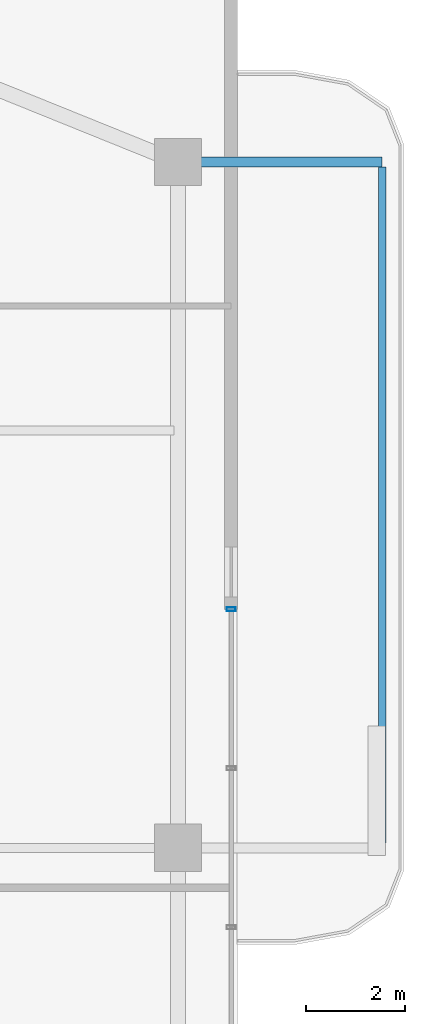
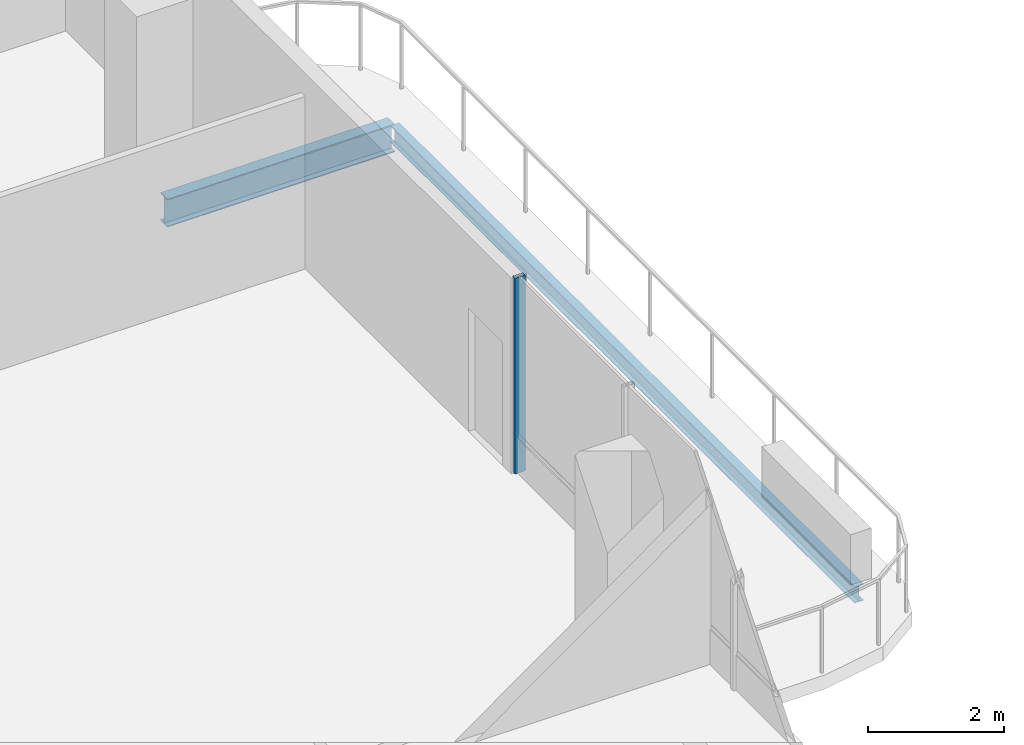
# One storey, part 15 of 25: 2 beams, 1 member, 1 element without a shape of its own.
"""IFC4 building model written with IfcOpenShell, lengths in metres."""

import ifcopenshell
import ifcopenshell.guid

model = None  # the IFC model being written
_history = None  # IfcOwnerHistory: only IFC2X3 demands one
_inside = {}  # id of a spatial element -> (the spatial element, [elements in it])
_under = {}  # id of a project, library or spatial element -> (it, [spatial elements below it])
_declared = {}  # id of a project -> (the project, [libraries it declares])
_typed = {}  # id of a type object -> (the type object, [elements of that type])
_made_of = {}  # id of a material, layer set ... -> (it, [elements and type objects made of it])


def new_model(schema):
    """Start an empty IFC model of exactly this schema.

    Asked for "IFC4X3", IfcOpenShell would pick the latest addendum, in which some entities
    have other attributes; the version numbers below select the first issue.
    IFC2X3 requires an IfcOwnerHistory on every rooted entity: one is made here for all.
    """
    global model, _history
    if schema == "IFC4X3":
        model = ifcopenshell.file(schema_version=(4, 3, 0, 0))
    else:
        model = ifcopenshell.file(schema=schema)
    _inside.clear()
    _under.clear()
    _declared.clear()
    _typed.clear()
    _made_of.clear()
    _history = None
    if model.schema == "IFC2X3":
        org = make("IfcOrganization", Name="unknown")
        user = make(
            "IfcPersonAndOrganization",
            ThePerson=make("IfcPerson", FamilyName="unknown"),
            TheOrganization=org,
        )
        app = make(
            "IfcApplication",
            ApplicationDeveloper=org,
            Version="unknown",
            ApplicationFullName="unknown",
            ApplicationIdentifier="unknown",
        )
        _history = make(
            "IfcOwnerHistory",
            OwningUser=user,
            OwningApplication=app,
            ChangeAction="ADDED",
            CreationDate=0,
        )
    return model


def make(cls, **values):
    """One entity of the class cls with the attributes given. An attribute that is None is left unset."""
    return model.create_entity(
        cls, **{name: value for name, value in values.items() if value is not None}
    )


def rooted(cls, **values):
    """An entity with a GlobalId (a new one), such as an element, a storey or a relation."""
    return make(cls, GlobalId=ifcopenshell.guid.new(), OwnerHistory=_history, **values)


def si_unit(unit_type, name, prefix=None):
    """IfcSIUnit, for example si_unit("LENGTHUNIT", "METRE", prefix="MILLI")."""
    return make("IfcSIUnit", UnitType=unit_type, Prefix=prefix, Name=name)


def assignment(units):
    """IfcUnitAssignment: the units of a project."""
    return None if units is None else make("IfcUnitAssignment", Units=units)


def point(xyz):
    """IfcCartesianPoint."""
    return None if xyz is None else make("IfcCartesianPoint", Coordinates=xyz)


def direction(xyz):
    """IfcDirection."""
    return None if xyz is None else make("IfcDirection", DirectionRatios=xyz)


def frame(location, z_axis=None, x_axis=None):
    """IfcAxis2Placement3D, a coordinate frame: its origin and axes. An axis left out is left unset."""
    return make(
        "IfcAxis2Placement3D",
        Location=point(location),
        Axis=direction(z_axis),
        RefDirection=direction(x_axis),
    )


def frame_2d(location, x_axis=None):
    """IfcAxis2Placement2D, a coordinate frame in the plane: its origin and x axis."""
    return make(
        "IfcAxis2Placement2D", Location=point(location), RefDirection=direction(x_axis)
    )


def origin():
    """The frame at (0, 0, 0) with its axes left unset."""
    return frame((0.0, 0.0, 0.0))


def origin_2d():
    """The frame at (0, 0) in the plane with its x axis left unset."""
    return frame_2d((0.0, 0.0))


def place(relative_to, where):
    """IfcLocalPlacement: puts the frame where relative to a parent placement (None: the world)."""
    return make(
        "IfcLocalPlacement", PlacementRelTo=relative_to, RelativePlacement=where
    )


def context(
    kind, dimensions, precision=None, world=None, true_north=None, identifier=None
):
    """IfcGeometricRepresentationContext, for example the 3D "Model" context."""
    return make(
        "IfcGeometricRepresentationContext",
        ContextIdentifier=identifier,
        ContextType=kind,
        CoordinateSpaceDimension=dimensions,
        Precision=precision,
        WorldCoordinateSystem=world,
        TrueNorth=true_north,
    )


def subcontext(parent, identifier, kind, view, scale=None):
    """IfcGeometricRepresentationSubContext, for example "Body" below "Model"."""
    return make(
        "IfcGeometricRepresentationSubContext",
        ContextIdentifier=identifier,
        ContextType=kind,
        ParentContext=parent,
        TargetScale=scale,
        TargetView=view,
    )


def project(units=None, contexts=None):
    """IfcProject with its units and contexts."""
    return rooted(
        "IfcProject",
        Name="project",
        RepresentationContexts=contexts,
        UnitsInContext=assignment(units),
    )


def spatial(cls, under=None, at=None, **own):
    """A site, building, storey or space (cls), placed at a placement, below another one or the project."""
    s = rooted(cls, ObjectPlacement=at, **own)
    if under is not None:
        _under.setdefault(under.id(), (under, []))[1].append(s)
    return s


def profile(cls, at=None, kind="AREA", **sizes):
    """A parametric profile (cls). Its sizes go by their IFC names, for example OverallWidth=200.0."""
    return make(cls, ProfileType=kind, Position=at, **sizes)


def hollow_rectangle(**sizes):
    """IfcRectangleHollowProfileDef."""
    return profile("IfcRectangleHollowProfileDef", **sizes)


def i_section(**sizes):
    """IfcIShapeProfileDef."""
    return profile("IfcIShapeProfileDef", **sizes)


def extrude(swept, where, along, depth):
    """IfcExtrudedAreaSolid: the profile swept, set in the frame where, extruded along a direction by depth."""
    return make(
        "IfcExtrudedAreaSolid",
        SweptArea=swept,
        Position=where,
        ExtrudedDirection=direction(along),
        Depth=depth,
    )


def shape(context_of_items, identifier, shape_type, items):
    """IfcShapeRepresentation: the items that make up one representation, for example the "Body"."""
    return make(
        "IfcShapeRepresentation",
        ContextOfItems=context_of_items,
        RepresentationIdentifier=identifier,
        RepresentationType=shape_type,
        Items=items,
    )


def material(Name=None, Category=None):
    """IfcMaterial."""
    return make("IfcMaterial", Name=Name, Category=Category)


def layer(
    of_material, thickness, ventilated=None, Name=None, Category=None, Priority=None
):
    """IfcMaterialLayer: one layer of a wall or slab, of a material (None: an air gap)."""
    return make(
        "IfcMaterialLayer",
        Material=of_material,
        LayerThickness=thickness,
        IsVentilated=ventilated,
        Name=Name,
        Category=Category,
        Priority=Priority,
    )


def layer_set(layers, Name=None):
    """IfcMaterialLayerSet."""
    return make("IfcMaterialLayerSet", MaterialLayers=layers, LayerSetName=Name)


def material_profile(
    of_material, cross_section, Name=None, Category=None, Priority=None
):
    """IfcMaterialProfile: a cross section and its material."""
    return make(
        "IfcMaterialProfile",
        Name=Name,
        Material=of_material,
        Profile=cross_section,
        Priority=Priority,
        Category=Category,
    )


def profile_set(profiles, Name=None, composite=None):
    """IfcMaterialProfileSet."""
    return make(
        "IfcMaterialProfileSet",
        Name=Name,
        MaterialProfiles=profiles,
        CompositeProfile=composite,
    )


def made_of(thing, what):
    """Note that an element or type object is made of a material, layer set ...; save() writes the relation."""
    if what is not None:
        _made_of.setdefault(what.id(), (what, []))[1].append(thing)
    return thing


def type_object(cls, material=None, **own):
    """A type object (cls), such as IfcWallType, which elements share."""
    return made_of(rooted(cls, **own), material)


def element(
    cls,
    number,
    at=None,
    inside=None,
    cuts=None,
    type_object=None,
    material=None,
    context=None,
    identifier="Body",
    shape_type=None,
    held_by="IfcProductDefinitionShape",
    body=None,
    shapes=None,
    **own,
):
    """One element of the class cls, such as IfcWall. Its Tag is "e" and its number.

    at: its placement. inside: the storey or other place that contains it. cuts: it is an
    opening in that element (IfcRelVoidsElement). A single representation is given by context,
    identifier, shape_type and body (its items); several are given by shapes. held_by: the class
    of the entity that holds the representations. save() writes the other relations.
    """
    e = rooted(cls, Tag="e%d" % number, ObjectPlacement=at, **own)
    if body is not None:
        shapes = [shape(context, identifier, shape_type, body)]
    if shapes is not None:
        e.Representation = make(held_by, Representations=shapes)
    if inside is not None:
        _inside.setdefault(inside.id(), (inside, []))[1].append(e)
    if cuts is not None:
        rooted(
            "IfcRelVoidsElement", RelatingBuildingElement=cuts, RelatedOpeningElement=e
        )
    if type_object is not None:
        _typed.setdefault(type_object.id(), (type_object, []))[1].append(e)
    return made_of(e, material)


def aggregate(whole, parts):
    """IfcRelAggregates: a whole, such as a stair, and the parts it consists of."""
    return rooted("IfcRelAggregates", RelatingObject=whole, RelatedObjects=parts)


def save(model, path):
    """Write the relations noted so far, then the file.

    IfcRelAggregates (storeys below a building ...), IfcRelContainedInSpatialStructure (elements
    in a storey), IfcRelDefinesByType, IfcRelAssociatesMaterial and IfcRelDeclares: one each for
    every whole, place, type object, material and project.
    """
    for whole, parts in _under.values():
        aggregate(whole, parts)
    for where, things in _inside.values():
        rooted(
            "IfcRelContainedInSpatialStructure",
            RelatedElements=things,
            RelatingStructure=where,
        )
    for kind, things in _typed.values():
        rooted("IfcRelDefinesByType", RelatedObjects=things, RelatingType=kind)
    for what, things in _made_of.values():
        rooted("IfcRelAssociatesMaterial", RelatedObjects=things, RelatingMaterial=what)
    for by, libraries in _declared.values():
        rooted("IfcRelDeclares", RelatingContext=by, RelatedDefinitions=libraries)
    model.write(path)


model = new_model("IFC4")

# Units and contexts
model_context = context("Model", 3, precision=1e-05, world=origin(), true_north=direction((0.0, 1.0)))
body_context = subcontext(model_context, "Body", "Model", "MODEL_VIEW")
ifc_project = project(units=[si_unit("LENGTHUNIT", "METRE"), si_unit("AREAUNIT", "SQUARE_METRE"), si_unit("VOLUMEUNIT", "CUBIC_METRE"), si_unit("PLANEANGLEUNIT", "RADIAN"), si_unit("MASSUNIT", "GRAM", prefix="KILO")], contexts=[model_context])

# Site, building, storey
site_placement = place(None, origin())
site = spatial("IfcSite", under=ifc_project, at=site_placement, CompositionType="ELEMENT")
building_placement = place(site_placement, origin())
building = spatial("IfcBuilding", under=site, at=building_placement, Name="Belovzor Exchange Tower", CompositionType="ELEMENT")
storey_placement = place(building_placement, frame((0.0, 0.0, 269.10009765625)))
storey = spatial("IfcBuildingStorey", under=building, at=storey_placement, Name="L67", CompositionType="ELEMENT", Elevation=269.10009765625)

# Beams
ifc_material_1 = material(Name="Steel S355", Category="steel")
ifc_material_profile_1 = material_profile(ifc_material_1, i_section(OverallWidth=0.199951171875, OverallDepth=0.5, WebThickness=0.01025390625, FlangeThickness=0.01611328125, at=origin_2d()))
ifc_profile_set_1 = profile_set([ifc_material_profile_1], Name="Steel S355")
beam_type_1 = type_object("IfcBeamType", Name="Planted Balcony Cantilever Beam IPE 500", PredefinedType="BEAM", material=ifc_profile_set_1)
beam_1_placement = place(storey_placement, frame((52.760986328125, 42.60009765625, -0.5), z_axis=(1.0, 0.0, 0.0), x_axis=(0.0, 1.0, 0.0)))
element("IfcBeam", 1, at=beam_1_placement, inside=storey, type_object=beam_type_1, Name="BC-500 Planted Balcony Cantilever Beam IPE 500", PredefinedType="BEAM", context=body_context, shape_type="SweptSolid", body=[
    extrude(i_section(OverallWidth=0.199951171875, OverallDepth=0.5, WebThickness=0.01025390625, FlangeThickness=0.01611328125, at=origin_2d()), origin(), (0.0, 0.0, 1.0), 3.85009765625),
])
ifc_material_2 = material(Name="Steel S355", Category="steel")
ifc_material_profile_2 = material_profile(ifc_material_2, i_section(OverallWidth=0.14990234375, OverallDepth=0.300048828125, WebThickness=0.007080078125, FlangeThickness=0.0107421875, at=origin_2d()))
ifc_profile_set_2 = profile_set([ifc_material_profile_2], Name="Steel S355")
beam_type_2 = type_object("IfcBeamType", Name="Planted Balcony Fascia Edge Beam IPE 300", PredefinedType="BEAM", material=ifc_profile_set_2)
beam_2_placement = place(storey_placement, frame((56.611083984375, 28.89990234375, -0.400146484375), z_axis=(0.0, 1.0, 0.0), x_axis=(-1.0, 0.0, 0.0)))
element("IfcBeam", 2, at=beam_2_placement, inside=storey, type_object=beam_type_2, Name="BC-300 Planted Balcony Fascia Edge Beam IPE 300", PredefinedType="BEAM", context=body_context, shape_type="SweptSolid", body=[
    extrude(i_section(OverallWidth=0.14990234375, OverallDepth=0.300048828125, WebThickness=0.007080078125, FlangeThickness=0.0107421875, at=origin_2d()), origin(), (0.0, 0.0, 1.0), 13.60009765625),
])

# Curtain wall, member
ifc_material_3 = material(Name="Anodised Aluminium Framing", Category="aluminium")
ifc_layer = layer(ifc_material_3, 0.179931640625)
ifc_layer_set = layer_set([ifc_layer], Name="Anodised Aluminium Framing")
curtain_wall_type = type_object("IfcCurtainWallType", Name="Recessed Loggia Low-Iron Triple-Glazed Curtain Wall", PredefinedType="NOTDEFINED", material=ifc_layer_set)
curtain_wall_placement = place(storey_placement, origin())
curtain_wall = element("IfcCurtainWall", 3, at=curtain_wall_placement, inside=storey, type_object=curtain_wall_type, Name="CW3 Recessed Loggia Low-Iron Triple-Glazed Curtain Wall L67", PredefinedType="NOTDEFINED")
ifc_material_4 = material(Name="Steel S355", Category="steel")
ifc_material_profile_3 = material_profile(ifc_material_4, hollow_rectangle(XDim=0.074951171875, YDim=0.179931640625, WallThickness=0.0048828125, at=origin_2d()))
ifc_profile_set_3 = profile_set([ifc_material_profile_3], Name="Steel S355")
member_type = type_object("IfcMemberType", Name="Thermally Broken Curtain Wall Mullion 180x75", PredefinedType="MULLION", material=ifc_profile_set_3)
member_placement = place(storey_placement, frame((53.570068359375, 33.60009765625, 0.0), z_axis=(0.0, 0.0, 1.0), x_axis=(0.0, -1.0, 0.0)))
member = element("IfcMember", 4, at=member_placement, type_object=member_type, Name="CW-M180 Curtain Wall Mullion 1", PredefinedType="MULLION", context=body_context, shape_type="SweptSolid", body=[
    extrude(hollow_rectangle(XDim=0.074951171875, YDim=0.179931640625, WallThickness=0.0048828125, at=origin_2d()), origin(), (0.0, 0.0, 1.0), 3.5),
])
aggregate(curtain_wall, [member])

save(model, "model.ifc")
